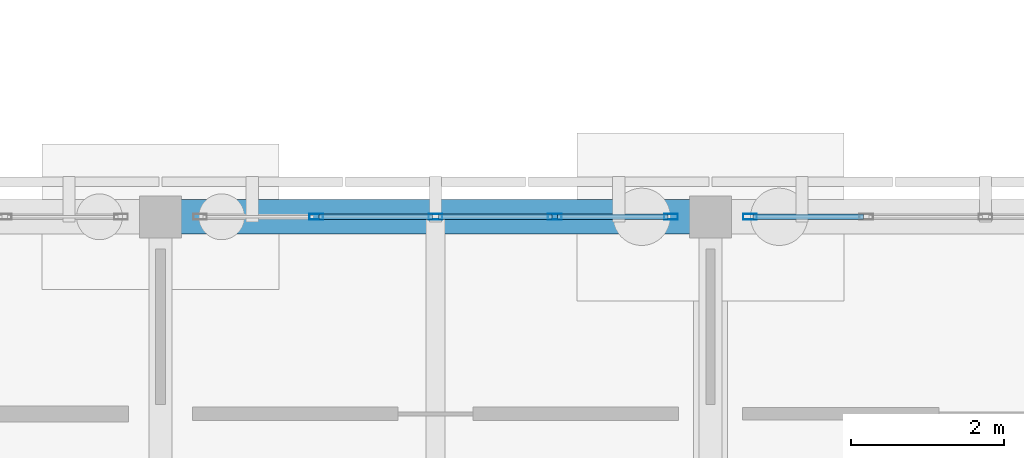
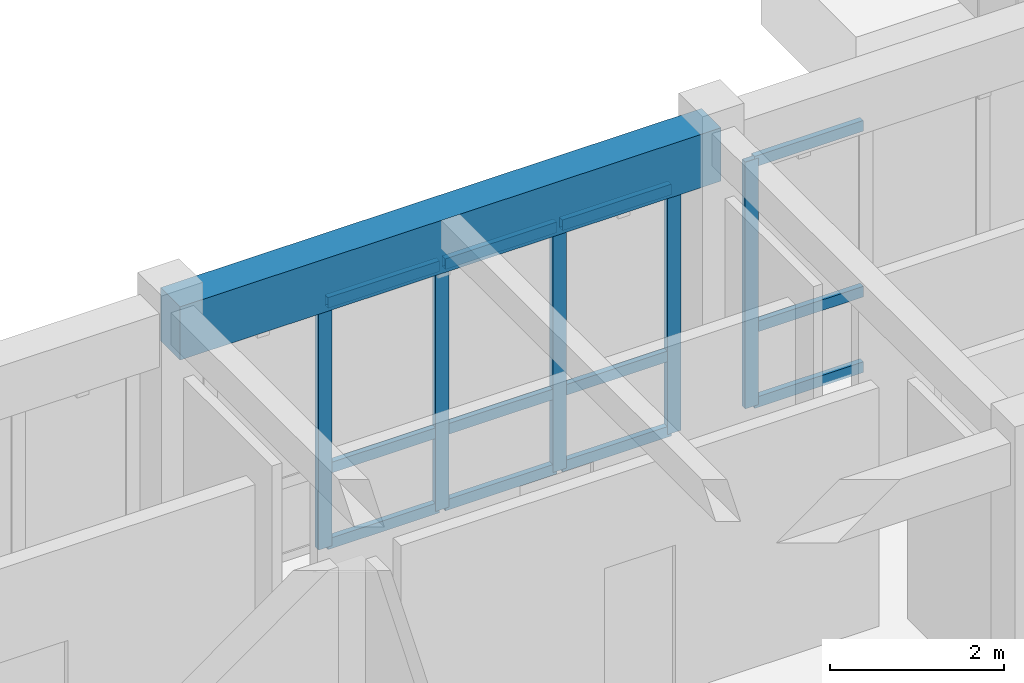
# One storey, part 34 of 111: 17 members, 1 beam, 2 elements without a shape of their own.
"""IFC4 building model written with IfcOpenShell, lengths in metres."""

from ifc_helpers import new_model, si_unit, direction, frame, origin, origin_2d, place, context, subcontext, project, spatial, rectangle, hollow_rectangle, extrude, material, material_profile, profile_set, type_object, element, aggregate, save


model = new_model("IFC4")

# Units and contexts
model_context = context("Model", 3, precision=1e-05, world=origin(), true_north=direction((0.0, 1.0)))
body_context = subcontext(model_context, "Body", "Model", "MODEL_VIEW")
ifc_project = project(units=[si_unit("LENGTHUNIT", "METRE"), si_unit("AREAUNIT", "SQUARE_METRE"), si_unit("VOLUMEUNIT", "CUBIC_METRE"), si_unit("PLANEANGLEUNIT", "RADIAN"), si_unit("MASSUNIT", "GRAM", prefix="KILO")], contexts=[model_context])

# Site, building, storey
site_placement = place(None, origin())
site = spatial("IfcSite", under=ifc_project, at=site_placement, CompositionType="ELEMENT")
building_placement = place(site_placement, origin())
building = spatial("IfcBuilding", under=site, at=building_placement, Name="Aldebral Square Health Centre", CompositionType="ELEMENT")
storey_placement = place(building_placement, origin())
storey = spatial("IfcBuildingStorey", under=building, at=storey_placement, Name="L00", CompositionType="ELEMENT", Elevation=0.0)

# Beam
ifc_material_1 = material(Name="Concrete C40/50", Category="concrete")
ifc_material_profile_1 = material_profile(ifc_material_1, rectangle(XDim=0.449951171875, YDim=0.75, at=origin_2d()), Name="RC 450x750")
ifc_profile_set_1 = profile_set([ifc_material_profile_1], Name="Concrete C40/50")
beam_type = type_object("IfcBeamType", Name="BM-G2", PredefinedType="T_BEAM", material=ifc_profile_set_1)
beam_placement = place(storey_placement, frame((93.60009765625, 100.800048828125, 3.844970703125), z_axis=(1.0, 0.0, 0.0), x_axis=(0.0, 1.0, 0.0)))
element("IfcBeam", 1, at=beam_placement, inside=storey, type_object=beam_type, Name="L00 X-beam 14-15/G15", PredefinedType="T_BEAM", context=body_context, shape_type="SweptSolid", body=[
    extrude(rectangle(XDim=0.449951171875, YDim=0.75, at=origin_2d()), origin(), (0.0, 0.0, 1.0), 7.199951171875),
])

# Curtain wall, members
ifc_material_2 = material(Name="Aluminium and low-E solar glass", Category="aluminium")
curtain_wall_type = type_object("IfcCurtainWallType", Name="CW-HALL-SYS", PredefinedType="USERDEFINED", material=ifc_material_2)
curtain_wall_1_placement = place(storey_placement, origin())
curtain_wall_1 = element("IfcCurtainWall", 2, at=curtain_wall_1_placement, inside=storey, type_object=curtain_wall_type, Name="L00 V1 hall curtain wall L00-V1-13-13-N", ObjectType="HALL_CURTAIN_WALL", PredefinedType="USERDEFINED")
ifc_material_3 = material(Name="Anodised aluminium mullion", Category="aluminium")
ifc_material_profile_2 = material_profile(ifc_material_3, hollow_rectangle(XDim=0.074951171875, YDim=0.179931640625, WallThickness=0.00390625, at=origin_2d()), Name="CWM 75x180x4")
ifc_profile_set_2 = profile_set([ifc_material_profile_2], Name="Anodised aluminium mullion")
member_type_1 = type_object("IfcMemberType", Name="CWM-STD", PredefinedType="MULLION", material=ifc_profile_set_2)
member_1_placement = place(storey_placement, frame((100.282470703125, 100.800048828125, 0.0), z_axis=(0.0, 0.0, 1.0), x_axis=(0.0, -1.0, 0.0)))
member_1 = element("IfcMember", 3, at=member_1_placement, type_object=member_type_1, Name="CW2 mullion 1", PredefinedType="MULLION", context=body_context, shape_type="SweptSolid", body=[
    extrude(hollow_rectangle(XDim=0.074951171875, YDim=0.179931640625, WallThickness=0.00390625, at=origin_2d()), origin(), (0.0, 0.0, 1.0), 3.469970703125),
])
member_2_placement = place(storey_placement, frame((98.760009765625, 100.800048828125, 0.0), z_axis=(0.0, 0.0, 1.0), x_axis=(0.0, -1.0, 0.0)))
member_2 = element("IfcMember", 4, at=member_2_placement, type_object=member_type_1, Name="CW2 mullion 2", PredefinedType="MULLION", context=body_context, shape_type="SweptSolid", body=[
    extrude(hollow_rectangle(XDim=0.074951171875, YDim=0.179931640625, WallThickness=0.00390625, at=origin_2d()), origin(), (0.0, 0.0, 1.0), 3.469970703125),
])
member_3_placement = place(storey_placement, frame((97.199951171875, 100.800048828125, 0.0), z_axis=(0.0, 0.0, 1.0), x_axis=(0.0, -1.0, 0.0)))
member_3 = element("IfcMember", 5, at=member_3_placement, type_object=member_type_1, Name="CW2 mullion 3", PredefinedType="MULLION", context=body_context, shape_type="SweptSolid", body=[
    extrude(hollow_rectangle(XDim=0.074951171875, YDim=0.179931640625, WallThickness=0.00390625, at=origin_2d()), origin(), (0.0, 0.0, 1.0), 3.469970703125),
])
member_4_placement = place(storey_placement, frame((95.639892578125, 100.800048828125, 0.0), z_axis=(0.0, 0.0, 1.0), x_axis=(0.0, -1.0, 0.0)))
member_4 = element("IfcMember", 6, at=member_4_placement, type_object=member_type_1, Name="CW2 mullion 4", PredefinedType="MULLION", context=body_context, shape_type="SweptSolid", body=[
    extrude(hollow_rectangle(XDim=0.074951171875, YDim=0.179931640625, WallThickness=0.00390625, at=origin_2d()), origin(), (0.0, 0.0, 1.0), 3.469970703125),
])

# Curtain wall, member
curtain_wall_2_placement = place(storey_placement, origin())
curtain_wall_2 = element("IfcCurtainWall", 7, at=curtain_wall_2_placement, inside=storey, type_object=curtain_wall_type, Name="L00 V1 hall curtain wall L00-V1-14-13-N", ObjectType="HALL_CURTAIN_WALL", PredefinedType="USERDEFINED")
member_5_placement = place(storey_placement, frame((101.3173828125, 100.800048828125, 0.0), z_axis=(0.0, 0.0, 1.0), x_axis=(0.0, -1.0, 0.0)))
member_5 = element("IfcMember", 8, at=member_5_placement, type_object=member_type_1, Name="CW2 mullion 5", PredefinedType="MULLION", context=body_context, shape_type="SweptSolid", body=[
    extrude(hollow_rectangle(XDim=0.074951171875, YDim=0.179931640625, WallThickness=0.00390625, at=origin_2d()), origin(), (0.0, 0.0, 1.0), 3.469970703125),
])

# Member
ifc_material_4 = material(Name="Anodised aluminium transom", Category="aluminium")
ifc_material_profile_3 = material_profile(ifc_material_4, hollow_rectangle(XDim=0.074951171875, YDim=0.14990234375, WallThickness=0.00390625, at=origin_2d()), Name="CWT 75x150x4")
ifc_profile_set_3 = profile_set([ifc_material_profile_3], Name="Anodised aluminium transom")
member_type_2 = type_object("IfcMemberType", Name="CWT-STD", PredefinedType="USERDEFINED", material=ifc_profile_set_3)
member_6_placement = place(storey_placement, frame((100.2451171875, 100.800048828125, 0.03759765625), z_axis=(-1.0, 0.0, 0.0), x_axis=(0.0, -1.0, 0.0)))
member_6 = element("IfcMember", 9, at=member_6_placement, type_object=member_type_2, Name="CW2 transom 1.1", ObjectType="TRANSOM", PredefinedType="USERDEFINED", context=body_context, shape_type="SweptSolid", body=[
    extrude(hollow_rectangle(XDim=0.074951171875, YDim=0.14990234375, WallThickness=0.00390625, at=origin_2d()), origin(), (0.0, 0.0, 1.0), 1.447509765625),
])

member_7_placement = place(storey_placement, frame((100.2451171875, 100.800048828125, 1.10009765625), z_axis=(-1.0, 0.0, 0.0), x_axis=(0.0, -1.0, 0.0)))
member_7 = element("IfcMember", 10, at=member_7_placement, type_object=member_type_2, Name="CW2 transom 1.2", ObjectType="TRANSOM", PredefinedType="USERDEFINED", context=body_context, shape_type="SweptSolid", body=[
    extrude(hollow_rectangle(XDim=0.074951171875, YDim=0.14990234375, WallThickness=0.00390625, at=origin_2d()), origin(), (0.0, 0.0, 1.0), 1.447509765625),
])

member_8_placement = place(storey_placement, frame((100.2451171875, 100.800048828125, 3.4326171875), z_axis=(-1.0, 0.0, 0.0), x_axis=(0.0, -1.0, 0.0)))
member_8 = element("IfcMember", 11, at=member_8_placement, type_object=member_type_2, Name="CW2 transom 1.3", ObjectType="TRANSOM", PredefinedType="USERDEFINED", context=body_context, shape_type="SweptSolid", body=[
    extrude(hollow_rectangle(XDim=0.074951171875, YDim=0.14990234375, WallThickness=0.00390625, at=origin_2d()), origin(), (0.0, 0.0, 1.0), 1.447509765625),
])

member_9_placement = place(storey_placement, frame((98.722412109375, 100.800048828125, 0.03759765625), z_axis=(-1.0, 0.0, 0.0), x_axis=(0.0, -1.0, 0.0)))
member_9 = element("IfcMember", 12, at=member_9_placement, type_object=member_type_2, Name="CW2 transom 2.1", ObjectType="TRANSOM", PredefinedType="USERDEFINED", context=body_context, shape_type="SweptSolid", body=[
    extrude(hollow_rectangle(XDim=0.074951171875, YDim=0.14990234375, WallThickness=0.00390625, at=origin_2d()), origin(), (0.0, 0.0, 1.0), 1.48486328125),
])

member_10_placement = place(storey_placement, frame((98.722412109375, 100.800048828125, 1.10009765625), z_axis=(-1.0, 0.0, 0.0), x_axis=(0.0, -1.0, 0.0)))
member_10 = element("IfcMember", 13, at=member_10_placement, type_object=member_type_2, Name="CW2 transom 2.2", ObjectType="TRANSOM", PredefinedType="USERDEFINED", context=body_context, shape_type="SweptSolid", body=[
    extrude(hollow_rectangle(XDim=0.074951171875, YDim=0.14990234375, WallThickness=0.00390625, at=origin_2d()), origin(), (0.0, 0.0, 1.0), 1.48486328125),
])

member_11_placement = place(storey_placement, frame((98.722412109375, 100.800048828125, 3.4326171875), z_axis=(-1.0, 0.0, 0.0), x_axis=(0.0, -1.0, 0.0)))
member_11 = element("IfcMember", 14, at=member_11_placement, type_object=member_type_2, Name="CW2 transom 2.3", ObjectType="TRANSOM", PredefinedType="USERDEFINED", context=body_context, shape_type="SweptSolid", body=[
    extrude(hollow_rectangle(XDim=0.074951171875, YDim=0.14990234375, WallThickness=0.00390625, at=origin_2d()), origin(), (0.0, 0.0, 1.0), 1.48486328125),
])

member_12_placement = place(storey_placement, frame((97.16259765625, 100.800048828125, 0.03759765625), z_axis=(-1.0, 0.0, 0.0), x_axis=(0.0, -1.0, 0.0)))
member_12 = element("IfcMember", 15, at=member_12_placement, type_object=member_type_2, Name="CW2 transom 3.1", ObjectType="TRANSOM", PredefinedType="USERDEFINED", context=body_context, shape_type="SweptSolid", body=[
    extrude(hollow_rectangle(XDim=0.074951171875, YDim=0.14990234375, WallThickness=0.00390625, at=origin_2d()), origin(), (0.0, 0.0, 1.0), 1.485107421875),
])

member_13_placement = place(storey_placement, frame((97.16259765625, 100.800048828125, 1.10009765625), z_axis=(-1.0, 0.0, 0.0), x_axis=(0.0, -1.0, 0.0)))
member_13 = element("IfcMember", 16, at=member_13_placement, type_object=member_type_2, Name="CW2 transom 3.2", ObjectType="TRANSOM", PredefinedType="USERDEFINED", context=body_context, shape_type="SweptSolid", body=[
    extrude(hollow_rectangle(XDim=0.074951171875, YDim=0.14990234375, WallThickness=0.00390625, at=origin_2d()), origin(), (0.0, 0.0, 1.0), 1.485107421875),
])

member_14_placement = place(storey_placement, frame((97.16259765625, 100.800048828125, 3.4326171875), z_axis=(-1.0, 0.0, 0.0), x_axis=(0.0, -1.0, 0.0)))
member_14 = element("IfcMember", 17, at=member_14_placement, type_object=member_type_2, Name="CW2 transom 3.3", ObjectType="TRANSOM", PredefinedType="USERDEFINED", context=body_context, shape_type="SweptSolid", body=[
    extrude(hollow_rectangle(XDim=0.074951171875, YDim=0.14990234375, WallThickness=0.00390625, at=origin_2d()), origin(), (0.0, 0.0, 1.0), 1.485107421875),
])

aggregate(curtain_wall_1, [member_1, member_2, member_3, member_4, member_6, member_7, member_8, member_9, member_10, member_11, member_12, member_13, member_14])

member_15_placement = place(storey_placement, frame((102.802490234375, 100.800048828125, 0.03759765625), z_axis=(-1.0, 0.0, 0.0), x_axis=(0.0, -1.0, 0.0)))
member_15 = element("IfcMember", 18, at=member_15_placement, type_object=member_type_2, Name="CW2 transom 4.1", ObjectType="TRANSOM", PredefinedType="USERDEFINED", context=body_context, shape_type="SweptSolid", body=[
    extrude(hollow_rectangle(XDim=0.074951171875, YDim=0.14990234375, WallThickness=0.00390625, at=origin_2d()), origin(), (0.0, 0.0, 1.0), 1.447509765625),
])

member_16_placement = place(storey_placement, frame((102.802490234375, 100.800048828125, 1.10009765625), z_axis=(-1.0, 0.0, 0.0), x_axis=(0.0, -1.0, 0.0)))
member_16 = element("IfcMember", 19, at=member_16_placement, type_object=member_type_2, Name="CW2 transom 4.2", ObjectType="TRANSOM", PredefinedType="USERDEFINED", context=body_context, shape_type="SweptSolid", body=[
    extrude(hollow_rectangle(XDim=0.074951171875, YDim=0.14990234375, WallThickness=0.00390625, at=origin_2d()), origin(), (0.0, 0.0, 1.0), 1.447509765625),
])

member_17_placement = place(storey_placement, frame((102.802490234375, 100.800048828125, 3.4326171875), z_axis=(-1.0, 0.0, 0.0), x_axis=(0.0, -1.0, 0.0)))
member_17 = element("IfcMember", 20, at=member_17_placement, type_object=member_type_2, Name="CW2 transom 4.3", ObjectType="TRANSOM", PredefinedType="USERDEFINED", context=body_context, shape_type="SweptSolid", body=[
    extrude(hollow_rectangle(XDim=0.074951171875, YDim=0.14990234375, WallThickness=0.00390625, at=origin_2d()), origin(), (0.0, 0.0, 1.0), 1.447509765625),
])

aggregate(curtain_wall_2, [member_5, member_15, member_16, member_17])

save(model, "model.ifc")
